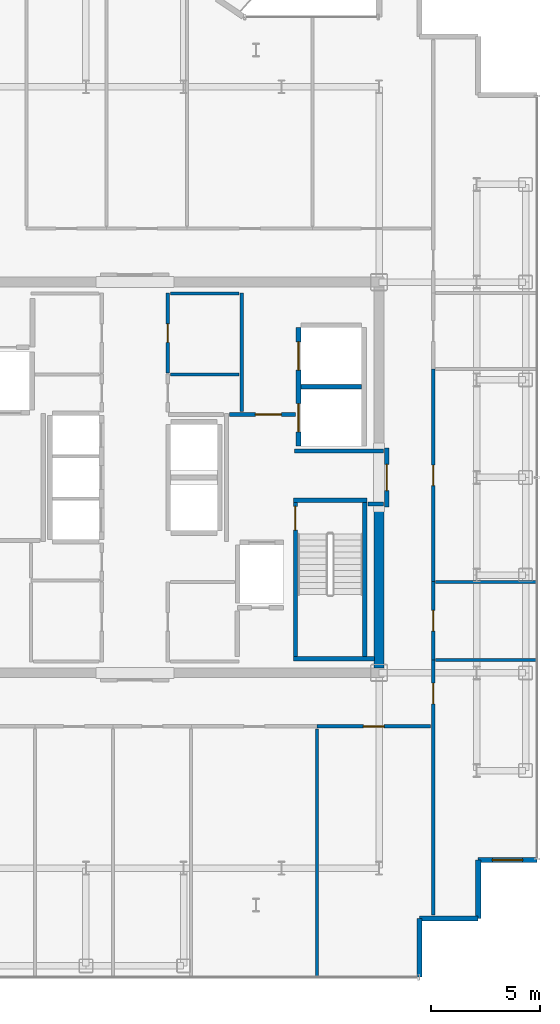
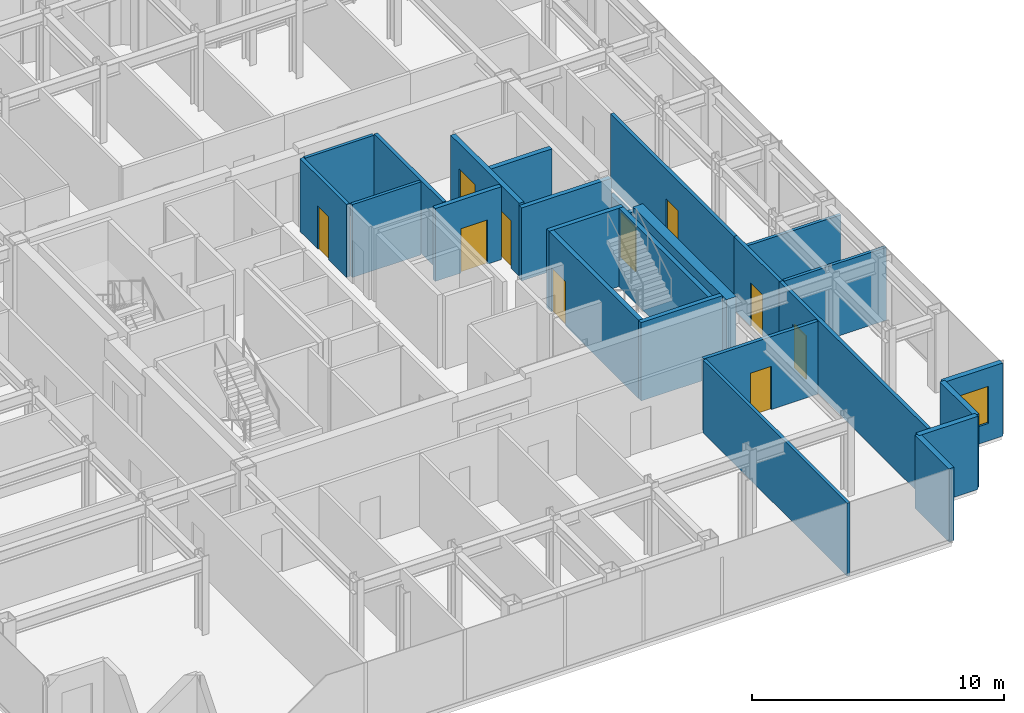
# One storey, part 15 of 18: 26 walls, 10 doors, 1 window, 11 openings.
"""IFC4 building model written with IfcOpenShell, lengths in metres."""

from ifc_helpers import new_model, si_unit, direction, frame, frame_2d, origin, place, context, subcontext, project, spatial, rectangle, extrude, source, transform, mapped, material, layer, layer_set, type_object, element, fill, save


model = new_model("IFC4")

# Units and contexts
model_context = context("Model", 3, precision=1e-05, world=origin(), true_north=direction((0.0, 1.0)))
body_context = subcontext(model_context, "Body", "Model", "MODEL_VIEW")
ifc_project = project(units=[si_unit("LENGTHUNIT", "METRE"), si_unit("AREAUNIT", "SQUARE_METRE"), si_unit("VOLUMEUNIT", "CUBIC_METRE"), si_unit("PLANEANGLEUNIT", "RADIAN"), si_unit("MASSUNIT", "GRAM", prefix="KILO")], contexts=[model_context])

# Site, building, storey
site_placement = place(None, origin())
site = spatial("IfcSite", under=ifc_project, at=site_placement, CompositionType="ELEMENT")
building_placement = place(site_placement, origin())
building = spatial("IfcBuilding", under=site, at=building_placement, Name="Nefas-Gora Pilgrimage Tower", CompositionType="ELEMENT")
storey_placement = place(building_placement, frame((0.0, 0.0, 268.39990234375)))
storey = spatial("IfcBuildingStorey", under=building, at=storey_placement, Name="L67", CompositionType="ELEMENT", Elevation=268.39990234375)

# Wall
ifc_material_1 = material(Name="Concrete C50/60", Category="concrete")
ifc_layer_1 = layer(ifc_material_1, 0.449951171875)
ifc_layer_set_1 = layer_set([ifc_layer_1], Name="Concrete C50/60")
wall_type_1 = type_object("IfcWallType", Name="SW-CORE-450", PredefinedType="SHEAR", material=ifc_layer_set_1)
shared_shape_1 = source(origin(), body_context, "Body", "SweptSolid", [
    extrude(rectangle(XDim=7.4248046875, YDim=0.449951171875, at=frame_2d((3.71240234375, 0.0))), origin(), (0.0, 0.0, 1.0), 3.800048828125),
])
wall_1_placement = place(storey_placement, frame((11.25, -8.77490234375, 0.0), z_axis=(0.0, 0.0, 1.0), x_axis=(0.0, 1.0, 0.0)))
element("IfcWall", 1, at=wall_1_placement, inside=storey, type_object=wall_type_1, Name="L67 Core Shear Wall E-South", PredefinedType="SHEAR", context=body_context, shape_type="MappedRepresentation", body=[
    mapped(shared_shape_1, transform((0.0, 0.0, 0.0), x_axis=(1.0, 0.0, 0.0), y_axis=(0.0, 1.0, 0.0), z_axis=(0.0, 0.0, 1.0), scale=1.0)),
])

# Wall, opening, window
ifc_material_2 = material(Name="Precast concrete C45/55", Category="concrete")
ifc_layer_2 = layer(ifc_material_2, 0.239990234375)
ifc_layer_set_2 = layer_set([ifc_layer_2], Name="Precast concrete C45/55")
wall_type_2 = type_object("IfcWallType", Name="EW-SERR-240", PredefinedType="SHEAR", material=ifc_layer_set_2)
shared_shape_2 = source(origin(), body_context, "Body", "SweptSolid", [
    extrude(rectangle(XDim=2.699951171875, YDim=0.239990234375, at=frame_2d((1.35009765625, 0.0))), origin(), (0.0, 0.0, 1.0), 3.550048828125),
])
wall_2_placement = place(storey_placement, frame((15.820068359375, -17.6201171875, 0.0), z_axis=(0.0, 0.0, 1.0), x_axis=(1.0, 0.0, 0.0)))
wall_2 = element("IfcWall", 2, at=wall_2_placement, inside=storey, type_object=wall_type_2, Name="L67 Serrated Corner Shear Pier Wall 1", PredefinedType="SHEAR", context=body_context, shape_type="MappedRepresentation", body=[
    mapped(shared_shape_2, transform((0.0, 0.0, 0.0), x_axis=(1.0, 0.0, 0.0), y_axis=(0.0, 1.0, 0.0), z_axis=(0.0, 0.0, 1.0), scale=1.0)),
])
opening_1_placement = place(wall_2_placement, frame((0.64990234375, 0.0, 0.85009765625)))
opening_1 = element("IfcOpeningElement", 3, at=opening_1_placement, cuts=wall_2, Name="Opening W-V2", PredefinedType="OPENING", context=body_context, shape_type="SweptSolid", body=[
    extrude(rectangle(XDim=1.39990234375, YDim=1.800048828125, at=frame_2d((0.699951171875, 0.89990234375))), frame((0.0, 0.1298828125, 0.0), z_axis=(0.0, -1.0, 0.0), x_axis=(1.0, 0.0, 0.0)), (0.0, 0.0, 1.0), 0.260009765625),
])
ifc_material_3 = material(Name="Dark ceramic-fritted operable aluminium-glass window", Category="aluminium")
window_type = type_object("IfcWindowType", Name="WIN-VENT-1400x1800", PartitioningType="SINGLE_PANEL", PredefinedType="WINDOW", material=ifc_material_3)
shared_shape_3 = source(origin(), body_context, "Body", "SweptSolid", [
    extrude(rectangle(XDim=1.39990234375, YDim=1.800048828125, at=frame_2d((0.699951171875, 0.89990234375))), frame((0.0, 0.030029296875, 0.0), z_axis=(0.0, -1.0, 0.0), x_axis=(1.0, 0.0, 0.0)), (0.0, 0.0, 1.0), 0.06005859375),
])
window_placement = place(opening_1_placement, origin())
window = element("IfcWindow", 4, at=window_placement, inside=storey, type_object=window_type, Name="L67 Operable Parallel-Outswing Window 1", OverallHeight=1.800048828125, OverallWidth=1.39990234375, PartitioningType="SINGLE_PANEL", PredefinedType="WINDOW", context=body_context, shape_type="MappedRepresentation", body=[
    mapped(shared_shape_3, transform((0.0, 0.0, 0.0), x_axis=(1.0, 0.0, 0.0), y_axis=(0.0, 1.0, 0.0), z_axis=(0.0, 0.0, 1.0), scale=1.0)),
])
fill(opening_1, window)

# Walls
for number, where, z_axis, x_axis, name in (
    (5, (13.1201171875, -23.02001953125, 0.0), (0.0, 0.0, 1.0), (0.0, 1.0, 0.0), "L67 Serrated Corner Shear Pier Wall 25"),
    (6, (13.1201171875, -20.320068359375, 0.0), (0.0, 0.0, 1.0), (1.0, 0.0, 0.0), "L67 Serrated Corner Shear Pier Wall 26"),
    (7, (15.820068359375, -20.320068359375, 0.0), (0.0, 0.0, 1.0), (0.0, 1.0, 0.0), "L67 Serrated Corner Shear Pier Wall 27"),
):
    element("IfcWall", number, at=place(storey_placement, frame(where, z_axis=z_axis, x_axis=x_axis)), inside=storey, type_object=wall_type_2, Name=name, PredefinedType="SHEAR", context=body_context, shape_type="MappedRepresentation", body=[
        mapped(shared_shape_2, transform((0.0, 0.0, 0.0), x_axis=(1.0, 0.0, 0.0), y_axis=(0.0, 1.0, 0.0), z_axis=(0.0, 0.0, 1.0), scale=1.0)),
    ])
ifc_material_4 = material(Name="Concrete C45/55", Category="concrete")
ifc_layer_3 = layer(ifc_material_4, 0.199951171875)
ifc_layer_set_3 = layer_set([ifc_layer_3], Name="Concrete C45/55")
wall_type_3 = type_object("IfcWallType", Name="IW-STAIR-200", PredefinedType="SOLIDWALL", material=ifc_layer_set_3)
shared_shape_4 = source(origin(), body_context, "Body", "SweptSolid", [
    extrude(rectangle(XDim=3.39990234375, YDim=0.199951171875, at=frame_2d((1.699951171875, 0.0))), origin(), (0.0, 0.0, 1.0), 3.800048828125),
])
wall_3_placement = place(storey_placement, frame((7.300048828125, -1.050048828125, 0.0), z_axis=(0.0, 0.0, 1.0), x_axis=(1.0, 0.0, 0.0)))
element("IfcWall", 8, at=wall_3_placement, inside=storey, type_object=wall_type_3, Name="L67 Stairwell Shear Wall ST-02-near", PredefinedType="SOLIDWALL", context=body_context, shape_type="MappedRepresentation", body=[
    mapped(shared_shape_4, transform((0.0, 0.0, 0.0), x_axis=(1.0, 0.0, 0.0), y_axis=(0.0, 1.0, 0.0), z_axis=(0.0, 0.0, 1.0), scale=1.0)),
])

# Wall, opening, door
shared_shape_5 = source(origin(), body_context, "Body", "SweptSolid", [
    extrude(rectangle(XDim=7.10009765625, YDim=0.199951171875, at=frame_2d((3.550048828125, 0.0))), origin(), (0.0, 0.0, 1.0), 3.800048828125),
])
wall_4_placement = place(storey_placement, frame((7.39990234375, -1.14990234375, 0.0), z_axis=(0.0, 0.0, 1.0), x_axis=(0.0, -1.0, 0.0)))
wall_4 = element("IfcWall", 9, at=wall_4_placement, inside=storey, type_object=wall_type_3, Name="L67 Stairwell Shear Wall ST-02-left", PredefinedType="SOLIDWALL", context=body_context, shape_type="MappedRepresentation", body=[
    mapped(shared_shape_5, transform((0.0, 0.0, 0.0), x_axis=(1.0, 0.0, 0.0), y_axis=(0.0, 1.0, 0.0), z_axis=(0.0, 0.0, 1.0), scale=1.0)),
])
opening_2_placement = place(wall_4_placement, frame((0.179931640625, 0.0, 0.0)))
opening_2 = element("IfcOpeningElement", 10, at=opening_2_placement, cuts=wall_4, Name="Opening ID-ST1", PredefinedType="OPENING", context=body_context, shape_type="SweptSolid", body=[
    extrude(rectangle(XDim=1.10009765625, YDim=2.14990234375, at=frame_2d((0.550048828125, 1.074951171875))), frame((0.0, 0.10986328125, 0.0), z_axis=(0.0, -1.0, 0.0), x_axis=(1.0, 0.0, 0.0)), (0.0, 0.0, 1.0), 0.219970703125),
])
ifc_material_5 = material(Name="Painted galvanised steel fire stair door", Category="steel")
door_type_1 = type_object("IfcDoorType", Name="DR-INT-STAIR-1100", OperationType="NOTDEFINED", PredefinedType="DOOR", material=ifc_material_5)
shared_shape_6 = source(origin(), body_context, "Body", "SweptSolid", [
    extrude(rectangle(XDim=1.10009765625, YDim=2.14990234375, at=frame_2d((0.550048828125, 1.074951171875))), frame((0.0, 0.02490234375, 0.0), z_axis=(0.0, -1.0, 0.0), x_axis=(1.0, 0.0, 0.0)), (0.0, 0.0, 1.0), 0.050048828125),
])
door_1_placement = place(opening_2_placement, origin())
door_1 = element("IfcDoor", 11, at=door_1_placement, inside=storey, type_object=door_type_1, Name="L67 Protected Exit Stair Door ST-02", OperationType="SINGLE_SWING_RIGHT", OverallHeight=2.14990234375, OverallWidth=1.10009765625, PredefinedType="DOOR", context=body_context, shape_type="MappedRepresentation", body=[
    mapped(shared_shape_6, transform((0.0, 0.0, 0.0), x_axis=(1.0, 0.0, 0.0), y_axis=(0.0, 1.0, 0.0), z_axis=(0.0, 0.0, 1.0), scale=1.0)),
])
fill(opening_2, door_1)

# Walls
wall_5_placement = place(storey_placement, frame((10.60009765625, -1.14990234375, 0.0), z_axis=(0.0, 0.0, 1.0), x_axis=(0.0, -1.0, 0.0)))
element("IfcWall", 12, at=wall_5_placement, inside=storey, type_object=wall_type_3, Name="L67 Stairwell Shear Wall ST-02-right", PredefinedType="SOLIDWALL", context=body_context, shape_type="MappedRepresentation", body=[
    mapped(shared_shape_5, transform((0.0, 0.0, 0.0), x_axis=(1.0, 0.0, 0.0), y_axis=(0.0, 1.0, 0.0), z_axis=(0.0, 0.0, 1.0), scale=1.0)),
])
shared_shape_7 = source(origin(), body_context, "Body", "SweptSolid", [
    extrude(rectangle(XDim=3.72998046875, YDim=0.199951171875, at=frame_2d((1.864990234375, 0.0))), origin(), (0.0, 0.0, 1.0), 3.800048828125),
])
wall_6_placement = place(storey_placement, frame((7.300048828125, -8.35009765625, 0.0), z_axis=(0.0, 0.0, 1.0), x_axis=(1.0, 0.0, 0.0)))
element("IfcWall", 13, at=wall_6_placement, inside=storey, type_object=wall_type_3, Name="L67 Stairwell Shear Wall ST-02-far", PredefinedType="SOLIDWALL", context=body_context, shape_type="MappedRepresentation", body=[
    mapped(shared_shape_7, transform((0.0, 0.0, 0.0), x_axis=(1.0, 0.0, 0.0), y_axis=(0.0, 1.0, 0.0), z_axis=(0.0, 0.0, 1.0), scale=1.0)),
])

# Wall, openings, doors
ifc_material_6 = material(Name="Concrete C40/50", Category="concrete")
ifc_layer_4 = layer(ifc_material_6, 0.219970703125)
ifc_layer_set_4 = layer_set([ifc_layer_4], Name="Concrete C40/50")
wall_type_4 = type_object("IfcWallType", Name="IW-SHAFT-220", PredefinedType="SOLIDWALL", material=ifc_layer_set_4)
shared_shape_8 = source(origin(), body_context, "Body", "SweptSolid", [
    extrude(rectangle(XDim=5.449951171875, YDim=0.219970703125, at=frame_2d((2.72509765625, 0.0))), origin(), (0.0, 0.0, 1.0), 3.53515625),
])
wall_7_placement = place(storey_placement, frame((7.5400390625, 6.89990234375, 0.0), z_axis=(0.0, 0.0, 1.0), x_axis=(0.0, -1.0, 0.0)))
wall_7 = element("IfcWall", 14, at=wall_7_placement, inside=storey, type_object=wall_type_4, Name="L67 Hoistway Wall SL-01-02-W", PredefinedType="SOLIDWALL", context=body_context, shape_type="MappedRepresentation", body=[
    mapped(shared_shape_8, transform((0.0, 0.0, 0.0), x_axis=(1.0, 0.0, 0.0), y_axis=(0.0, 1.0, 0.0), z_axis=(0.0, 0.0, 1.0), scale=1.0)),
])
opening_3_placement = place(wall_7_placement, frame((3.5, 0.0, 0.0)))
opening_3 = element("IfcOpeningElement", 15, at=opening_3_placement, cuts=wall_7, Name="Opening LD-SV", PredefinedType="OPENING", context=body_context, shape_type="SweptSolid", body=[
    extrude(rectangle(XDim=1.300048828125, YDim=2.300048828125, at=frame_2d((0.64990234375, 1.14990234375))), frame((0.0, 0.119873046875, 0.0), z_axis=(0.0, -1.0, 0.0), x_axis=(1.0, 0.0, 0.0)), (0.0, 0.0, 1.0), 0.239990234375),
])
opening_4_placement = place(wall_7_placement, frame((0.64990234375, 0.0, 0.0)))
opening_4 = element("IfcOpeningElement", 16, at=opening_4_placement, cuts=wall_7, Name="Opening LD-SV", PredefinedType="OPENING", context=body_context, shape_type="SweptSolid", body=[
    extrude(rectangle(XDim=1.300048828125, YDim=2.300048828125, at=frame_2d((0.64990234375, 1.14990234375))), frame((0.0, 0.119873046875, 0.0), z_axis=(0.0, -1.0, 0.0), x_axis=(1.0, 0.0, 0.0)), (0.0, 0.0, 1.0), 0.239990234375),
])
ifc_material_7 = material(Name="Heavy goods sliding lift landing door")
door_type_2 = type_object("IfcDoorType", Name="DR-LIFT-SERV-1300", OperationType="SLIDING_TO_RIGHT", PredefinedType="DOOR", material=ifc_material_7)
shared_shape_9 = source(origin(), body_context, "Body", "SweptSolid", [
    extrude(rectangle(XDim=1.300048828125, YDim=2.300048828125, at=frame_2d((0.64990234375, 1.14990234375))), frame((0.0, 0.02490234375, 0.0), z_axis=(0.0, -1.0, 0.0), x_axis=(1.0, 0.0, 0.0)), (0.0, 0.0, 1.0), 0.050048828125),
])
door_2_placement = place(opening_3_placement, origin())
door_2 = element("IfcDoor", 17, at=door_2_placement, inside=storey, type_object=door_type_2, Name="L67 Sliding Lift Landing Door SL-01", OperationType="SLIDING_TO_RIGHT", OverallHeight=2.300048828125, OverallWidth=1.300048828125, PredefinedType="DOOR", context=body_context, shape_type="MappedRepresentation", body=[
    mapped(shared_shape_9, transform((0.0, 0.0, 0.0), x_axis=(1.0, 0.0, 0.0), y_axis=(0.0, 1.0, 0.0), z_axis=(0.0, 0.0, 1.0), scale=1.0)),
])
fill(opening_3, door_2)
door_3_placement = place(opening_4_placement, origin())
door_3 = element("IfcDoor", 18, at=door_3_placement, inside=storey, type_object=door_type_2, Name="L67 Sliding Lift Landing Door SL-02", OperationType="SLIDING_TO_RIGHT", OverallHeight=2.300048828125, OverallWidth=1.300048828125, PredefinedType="DOOR", context=body_context, shape_type="MappedRepresentation", body=[
    mapped(shared_shape_9, transform((0.0, 0.0, 0.0), x_axis=(1.0, 0.0, 0.0), y_axis=(0.0, 1.0, 0.0), z_axis=(0.0, 0.0, 1.0), scale=1.0)),
])
fill(opening_4, door_3)

# Walls
shared_shape_10 = source(origin(), body_context, "Body", "SweptSolid", [
    extrude(rectangle(XDim=2.780029296875, YDim=0.219970703125, at=frame_2d((1.39013671875, 0.0))), origin(), (0.0, 0.0, 1.0), 3.53515625),
])
wall_8_placement = place(storey_placement, frame((7.659912109375, 4.175048828125, 0.0), z_axis=(0.0, 0.0, 1.0), x_axis=(1.0, 0.0, 0.0)))
element("IfcWall", 19, at=wall_8_placement, inside=storey, type_object=wall_type_4, Name="L67 Hoistway Wall SL-01-02-DIV", PredefinedType="SOLIDWALL", context=body_context, shape_type="MappedRepresentation", body=[
    mapped(shared_shape_10, transform((0.0, 0.0, 0.0), x_axis=(1.0, 0.0, 0.0), y_axis=(0.0, 1.0, 0.0), z_axis=(0.0, 0.0, 1.0), scale=1.0)),
])
ifc_material_8 = material(Name="Gypsum fire-rated shaftwall")
ifc_layer_5 = layer(ifc_material_8, 0.199951171875)
ifc_layer_set_5 = layer_set([ifc_layer_5], Name="Gypsum fire-rated shaftwall")
wall_type_5 = type_object("IfcWallType", Name="IW-FFLOB-200", PredefinedType="PARTITIONING", material=ifc_layer_set_5)
shared_shape_11 = source(origin(), body_context, "Body", "SweptSolid", [
    extrude(rectangle(XDim=0.719970703125, YDim=0.199951171875, at=frame_2d((0.35986328125, 0.0))), origin(), (0.0, 0.0, 1.0), 3.53515625),
])
wall_9_placement = place(storey_placement, frame((10.739990234375, -1.219970703125, 0.0), z_axis=(0.0, 0.0, 1.0), x_axis=(1.0, 0.0, 0.0)))
element("IfcWall", 20, at=wall_9_placement, inside=storey, type_object=wall_type_5, Name="L67 FF Lobby East Throat S Wall 15", PredefinedType="PARTITIONING", context=body_context, shape_type="MappedRepresentation", body=[
    mapped(shared_shape_11, transform((0.0, 0.0, 0.0), x_axis=(1.0, 0.0, 0.0), y_axis=(0.0, 1.0, 0.0), z_axis=(0.0, 0.0, 1.0), scale=1.0)),
])

# Wall, opening, door
shared_shape_12 = source(origin(), body_context, "Body", "SweptSolid", [
    extrude(rectangle(XDim=3.039794921875, YDim=0.199951171875, at=frame_2d((1.52001953125, 0.0))), origin(), (0.0, 0.0, 1.0), 3.53515625),
])
wall_10_placement = place(storey_placement, frame((4.360107421875, 2.89990234375, 0.0), z_axis=(0.0, 0.0, 1.0), x_axis=(1.0, 0.0, 0.0)))
wall_10 = element("IfcWall", 21, at=wall_10_placement, inside=storey, type_object=wall_type_5, Name="L67 FF Lobby East North Wall Wall 13", PredefinedType="PARTITIONING", context=body_context, shape_type="MappedRepresentation", body=[
    mapped(shared_shape_12, transform((0.0, 0.0, 0.0), x_axis=(1.0, 0.0, 0.0), y_axis=(0.0, 1.0, 0.0), z_axis=(0.0, 0.0, 1.0), scale=1.0)),
])
opening_5_placement = place(wall_10_placement, frame((1.18994140625, 0.0, 0.0)))
opening_5 = element("IfcOpeningElement", 22, at=opening_5_placement, cuts=wall_10, Name="Opening ID-PL1", PredefinedType="OPENING", context=body_context, shape_type="SweptSolid", body=[
    extrude(rectangle(XDim=1.199951171875, YDim=2.14990234375, at=frame_2d((0.60009765625, 1.074951171875))), frame((0.0, 0.10986328125, 0.0), z_axis=(0.0, -1.0, 0.0), x_axis=(1.0, 0.0, 0.0)), (0.0, 0.0, 1.0), 0.219970703125),
])
ifc_material_9 = material(Name="Heavy-duty steel plant room fire door", Category="steel")
door_type_3 = type_object("IfcDoorType", Name="DR-INT-PLANT-1200", OperationType="NOTDEFINED", PredefinedType="DOOR", material=ifc_material_9)
shared_shape_13 = source(origin(), body_context, "Body", "SweptSolid", [
    extrude(rectangle(XDim=1.199951171875, YDim=2.14990234375, at=frame_2d((0.60009765625, 1.074951171875))), frame((0.0, 0.02490234375, 0.0), z_axis=(0.0, -1.0, 0.0), x_axis=(1.0, 0.0, 0.0)), (0.0, 0.0, 1.0), 0.050048828125),
])
door_4_placement = place(opening_5_placement, origin())
door_4 = element("IfcDoor", 23, at=door_4_placement, inside=storey, type_object=door_type_3, Name="L67 Service Lift Lobby Door Door 5", OperationType="SINGLE_SWING_LEFT", OverallHeight=2.14990234375, OverallWidth=1.199951171875, PredefinedType="DOOR", context=body_context, shape_type="MappedRepresentation", body=[
    mapped(shared_shape_13, transform((0.0, 0.0, 0.0), x_axis=(1.0, 0.0, 0.0), y_axis=(0.0, 1.0, 0.0), z_axis=(0.0, 0.0, 1.0), scale=1.0)),
])
fill(opening_5, door_4)

# Walls
shared_shape_14 = source(origin(), body_context, "Body", "SweptSolid", [
    extrude(rectangle(XDim=4.10986328125, YDim=0.199951171875, at=frame_2d((2.054931640625, 0.0))), origin(), (0.0, 0.0, 1.0), 3.53515625),
])
wall_11_placement = place(storey_placement, frame((7.35009765625, 1.219970703125, 0.0), z_axis=(0.0, 0.0, 1.0), x_axis=(1.0, 0.0, 0.0)))
element("IfcWall", 24, at=wall_11_placement, inside=storey, type_object=wall_type_5, Name="L67 FF Lobby East Throat N Wall 14", PredefinedType="PARTITIONING", context=body_context, shape_type="MappedRepresentation", body=[
    mapped(shared_shape_14, transform((0.0, 0.0, 0.0), x_axis=(1.0, 0.0, 0.0), y_axis=(0.0, 1.0, 0.0), z_axis=(0.0, 0.0, 1.0), scale=1.0)),
])
ifc_material_10 = material(Name="Gypsum twin-stud partition")
ifc_layer_6 = layer(ifc_material_10, 0.139892578125)
ifc_layer_set_6 = layer_set([ifc_layer_6], Name="Gypsum twin-stud partition")
wall_type_6 = type_object("IfcWallType", Name="IW-UNIT-140", PredefinedType="PARTITIONING", material=ifc_layer_set_6)
shared_shape_15 = source(origin(), body_context, "Body", "SweptSolid", [
    extrude(rectangle(XDim=3.150146484375, YDim=0.139892578125, at=frame_2d((1.5751953125, 0.0))), origin(), (0.0, 0.0, 1.0), 3.53515625),
])
for number, where, z_axis, x_axis, name in (
    (25, (1.639892578125, 4.75, 0.0), (0.0, 0.0, 1.0), (1.0, 0.0, 0.0), "L67 Clean Blanket and Robe Store Partition Wall 24"),
    (26, (1.639892578125, 8.47998046875, 0.0), (0.0, 0.0, 1.0), (1.0, 0.0, 0.0), "L67 Amenity Supply Store Partition Wall 26"),
):
    element("IfcWall", number, at=place(storey_placement, frame(where, z_axis=z_axis, x_axis=x_axis)), inside=storey, type_object=wall_type_6, Name=name, PredefinedType="PARTITIONING", context=body_context, shape_type="MappedRepresentation", body=[
        mapped(shared_shape_15, transform((0.0, 0.0, 0.0), x_axis=(1.0, 0.0, 0.0), y_axis=(0.0, 1.0, 0.0), z_axis=(0.0, 0.0, 1.0), scale=1.0)),
    ])

# Wall, opening, door
ifc_material_11 = material(Name="Gypsum acoustic stud partition")
ifc_layer_7 = layer(ifc_material_11, 0.159912109375)
ifc_layer_set_7 = layer_set([ifc_layer_7], Name="Gypsum acoustic stud partition")
wall_type_7 = type_object("IfcWallType", Name="IW-CORR-160", PredefinedType="PARTITIONING", material=ifc_layer_set_7)
shared_shape_16 = source(origin(), body_context, "Body", "SweptSolid", [
    extrude(rectangle(XDim=3.610107421875, YDim=0.159912109375, at=frame_2d((1.80517578125, 0.0))), origin(), (0.0, 0.0, 1.0), 3.53515625),
])
wall_12_placement = place(storey_placement, frame((13.739990234375, -8.405029296875, 0.0), z_axis=(0.0, 0.0, 1.0), x_axis=(0.0, 1.0, 0.0)))
wall_12 = element("IfcWall", 27, at=wall_12_placement, inside=storey, type_object=wall_type_7, Name="L67 Pastoral Chaplains Counselling Office Partition Wall 48", PredefinedType="PARTITIONING", context=body_context, shape_type="MappedRepresentation", body=[
    mapped(shared_shape_16, transform((0.0, 0.0, 0.0), x_axis=(1.0, 0.0, 0.0), y_axis=(0.0, 1.0, 0.0), z_axis=(0.0, 0.0, 1.0), scale=1.0)),
])
opening_6_placement = place(wall_12_placement, frame((1.330078125, 0.0, 0.0)))
opening_6 = element("IfcOpeningElement", 28, at=opening_6_placement, cuts=wall_12, Name="Opening ID-GR1", PredefinedType="OPENING", context=body_context, shape_type="SweptSolid", body=[
    extrude(rectangle(XDim=0.949951171875, YDim=2.10009765625, at=frame_2d((0.47509765625, 1.050048828125))), frame((0.0, 0.08984375, 0.0), z_axis=(0.0, -1.0, 0.0), x_axis=(1.0, 0.0, 0.0)), (0.0, 0.0, 1.0), 0.179931640625),
])
ifc_material_12 = material(Name="Solid core oak fire-rated guest entrance door")
door_type_4 = type_object("IfcDoorType", Name="DR-INT-GUEST-950", OperationType="NOTDEFINED", PredefinedType="DOOR", material=ifc_material_12)
shared_shape_17 = source(origin(), body_context, "Body", "SweptSolid", [
    extrude(rectangle(XDim=0.949951171875, YDim=2.10009765625, at=frame_2d((0.47509765625, 1.050048828125))), frame((0.0, 0.02490234375, 0.0), z_axis=(0.0, -1.0, 0.0), x_axis=(1.0, 0.0, 0.0)), (0.0, 0.0, 1.0), 0.050048828125),
])
door_5_placement = place(opening_6_placement, origin())
door_5 = element("IfcDoor", 29, at=door_5_placement, inside=storey, type_object=door_type_4, Name="L67 Pastoral Chaplains Counselling Office Door 21", OperationType="SINGLE_SWING_LEFT", OverallHeight=2.10009765625, OverallWidth=0.949951171875, PredefinedType="DOOR", context=body_context, shape_type="MappedRepresentation", body=[
    mapped(shared_shape_17, transform((0.0, 0.0, 0.0), x_axis=(1.0, 0.0, 0.0), y_axis=(0.0, 1.0, 0.0), z_axis=(0.0, 0.0, 1.0), scale=1.0)),
])
fill(opening_6, door_5)

shared_shape_18 = source(origin(), body_context, "Body", "SweptSolid", [
    extrude(rectangle(XDim=5.22509765625, YDim=0.159912109375, at=frame_2d((2.612548828125, 0.0))), origin(), (0.0, 0.0, 1.0), 3.53515625),
])
wall_13_placement = place(storey_placement, frame((8.39501953125, -11.469970703125, 0.0), z_axis=(0.0, 0.0, 1.0), x_axis=(1.0, 0.0, 0.0)))
wall_13 = element("IfcWall", 30, at=wall_13_placement, inside=storey, type_object=wall_type_7, Name="L67 Pilgrim Contemplative Lounge Partition Wall 74", PredefinedType="PARTITIONING", context=body_context, shape_type="MappedRepresentation", body=[
    mapped(shared_shape_18, transform((0.0, 0.0, 0.0), x_axis=(1.0, 0.0, 0.0), y_axis=(0.0, 1.0, 0.0), z_axis=(0.0, 0.0, 1.0), scale=1.0)),
])
opening_7_placement = place(wall_13_placement, frame((2.137451171875, 0.0, 0.0)))
opening_7 = element("IfcOpeningElement", 31, at=opening_7_placement, cuts=wall_13, Name="Opening ID-GR1", PredefinedType="OPENING", context=body_context, shape_type="SweptSolid", body=[
    extrude(rectangle(XDim=0.949951171875, YDim=2.10009765625, at=frame_2d((0.47509765625, 1.050048828125))), frame((0.0, 0.08984375, 0.0), z_axis=(0.0, -1.0, 0.0), x_axis=(1.0, 0.0, 0.0)), (0.0, 0.0, 1.0), 0.179931640625),
])
door_6_placement = place(opening_7_placement, origin())
door_6 = element("IfcDoor", 32, at=door_6_placement, inside=storey, type_object=door_type_4, Name="L67 Pilgrim Contemplative Lounge Door 35", OperationType="SINGLE_SWING_LEFT", OverallHeight=2.10009765625, OverallWidth=0.949951171875, PredefinedType="DOOR", context=body_context, shape_type="MappedRepresentation", body=[
    mapped(shared_shape_17, transform((0.0, 0.0, 0.0), x_axis=(1.0, 0.0, 0.0), y_axis=(0.0, 1.0, 0.0), z_axis=(0.0, 0.0, 1.0), scale=1.0)),
])
fill(opening_7, door_6)

# Wall
shared_shape_19 = source(origin(), body_context, "Body", "SweptSolid", [
    extrude(rectangle(XDim=5.449951171875, YDim=0.159912109375, at=frame_2d((2.72509765625, 0.0))), origin(), (0.0, 0.0, 1.0), 3.53515625),
])
wall_14_placement = place(storey_placement, frame((4.919921875, 3.0400390625, 0.0), z_axis=(0.0, 0.0, 1.0), x_axis=(0.0, 1.0, 0.0)))
element("IfcWall", 33, at=wall_14_placement, inside=storey, type_object=wall_type_7, Name="L67 Service Lift Lobby West Wall Wall 18", PredefinedType="PARTITIONING", context=body_context, shape_type="MappedRepresentation", body=[
    mapped(shared_shape_19, transform((0.0, 0.0, 0.0), x_axis=(1.0, 0.0, 0.0), y_axis=(0.0, 1.0, 0.0), z_axis=(0.0, 0.0, 1.0), scale=1.0)),
])

# Wall, opening, door
shared_shape_20 = source(origin(), body_context, "Body", "SweptSolid", [
    extrude(rectangle(XDim=3.679931640625, YDim=0.159912109375, at=frame_2d((1.83984375, 0.0))), origin(), (0.0, 0.0, 1.0), 3.53515625),
])
wall_15_placement = place(storey_placement, frame((1.52001953125, 4.81005859375, 0.0), z_axis=(0.0, 0.0, 1.0), x_axis=(0.0, 1.0, 0.0)))
wall_15 = element("IfcWall", 34, at=wall_15_placement, inside=storey, type_object=wall_type_7, Name="L67 Amenity Supply Store Wall 25", PredefinedType="PARTITIONING", context=body_context, shape_type="MappedRepresentation", body=[
    mapped(shared_shape_20, transform((0.0, 0.0, 0.0), x_axis=(1.0, 0.0, 0.0), y_axis=(0.0, 1.0, 0.0), z_axis=(0.0, 0.0, 1.0), scale=1.0)),
])
opening_8_placement = place(wall_15_placement, frame((1.4150390625, 0.0, 0.0)))
opening_8 = element("IfcOpeningElement", 35, at=opening_8_placement, cuts=wall_15, Name="Opening ID-BT1", PredefinedType="OPENING", context=body_context, shape_type="SweptSolid", body=[
    extrude(rectangle(XDim=0.85009765625, YDim=2.10009765625, at=frame_2d((0.425048828125, 1.050048828125))), frame((0.0, 0.08984375, 0.0), z_axis=(0.0, -1.0, 0.0), x_axis=(1.0, 0.0, 0.0)), (0.0, 0.0, 1.0), 0.179931640625),
])
ifc_material_13 = material(Name="Moisture-resistant fire-rated timber door", Category="wood")
door_type_5 = type_object("IfcDoorType", Name="DR-INT-BATH-850", OperationType="NOTDEFINED", PredefinedType="DOOR", material=ifc_material_13)
shared_shape_21 = source(origin(), body_context, "Body", "SweptSolid", [
    extrude(rectangle(XDim=0.85009765625, YDim=2.10009765625, at=frame_2d((0.425048828125, 1.050048828125))), frame((0.0, 0.02490234375, 0.0), z_axis=(0.0, -1.0, 0.0), x_axis=(1.0, 0.0, 0.0)), (0.0, 0.0, 1.0), 0.050048828125),
])
door_7_placement = place(opening_8_placement, origin())
door_7 = element("IfcDoor", 36, at=door_7_placement, inside=storey, type_object=door_type_5, Name="L67 Amenity Supply Store Door 11", OperationType="SINGLE_SWING_LEFT", OverallHeight=2.10009765625, OverallWidth=0.85009765625, PredefinedType="DOOR", context=body_context, shape_type="MappedRepresentation", body=[
    mapped(shared_shape_21, transform((0.0, 0.0, 0.0), x_axis=(1.0, 0.0, 0.0), y_axis=(0.0, 1.0, 0.0), z_axis=(0.0, 0.0, 1.0), scale=1.0)),
])
fill(opening_8, door_7)

shared_shape_22 = source(origin(), body_context, "Body", "SweptSolid", [
    extrude(rectangle(XDim=9.809814453125, YDim=0.159912109375, at=frame_2d((4.90478515625, 0.0))), origin(), (0.0, 0.0, 1.0), 3.53515625),
])
wall_16_placement = place(storey_placement, frame((13.739990234375, -4.804931640625, 0.0), z_axis=(0.0, 0.0, 1.0), x_axis=(0.0, 1.0, 0.0)))
wall_16 = element("IfcWall", 37, at=wall_16_placement, inside=storey, type_object=wall_type_7, Name="L67 Pilgrim Contemplative Lounge Partition Wall 50", PredefinedType="PARTITIONING", context=body_context, shape_type="MappedRepresentation", body=[
    mapped(shared_shape_22, transform((0.0, 0.0, 0.0), x_axis=(1.0, 0.0, 0.0), y_axis=(0.0, 1.0, 0.0), z_axis=(0.0, 0.0, 1.0), scale=1.0)),
])
opening_9_placement = place(wall_16_placement, frame((4.429931640625, 0.0, 0.0)))
opening_9 = element("IfcOpeningElement", 38, at=opening_9_placement, cuts=wall_16, Name="Opening ID-GR1", PredefinedType="OPENING", context=body_context, shape_type="SweptSolid", body=[
    extrude(rectangle(XDim=0.949951171875, YDim=2.10009765625, at=frame_2d((0.47509765625, 1.050048828125))), frame((0.0, 0.08984375, 0.0), z_axis=(0.0, -1.0, 0.0), x_axis=(1.0, 0.0, 0.0)), (0.0, 0.0, 1.0), 0.179931640625),
])
door_8_placement = place(opening_9_placement, origin())
door_8 = element("IfcDoor", 39, at=door_8_placement, inside=storey, type_object=door_type_4, Name="L67 Pilgrim Contemplative Lounge Door 22", OperationType="SINGLE_SWING_RIGHT", OverallHeight=2.10009765625, OverallWidth=0.949951171875, PredefinedType="DOOR", context=body_context, shape_type="MappedRepresentation", body=[
    mapped(shared_shape_17, transform((0.0, 0.0, 0.0), x_axis=(1.0, 0.0, 0.0), y_axis=(0.0, 1.0, 0.0), z_axis=(0.0, 0.0, 1.0), scale=1.0)),
])
fill(opening_9, door_8)

shared_shape_23 = source(origin(), body_context, "Body", "SweptSolid", [
    extrude(rectangle(XDim=2.7001953125, YDim=0.199951171875, at=frame_2d((1.35009765625, 0.0))), origin(), (0.0, 0.0, 1.0), 2.625),
])
wall_17_placement = place(storey_placement, frame((11.60009765625, -1.35009765625, 0.0), z_axis=(0.0, 0.0, 1.0), x_axis=(0.0, 1.0, 0.0)))
wall_17 = element("IfcWall", 40, at=wall_17_placement, inside=storey, type_object=wall_type_5, Name="L67 FF Lobby East Portal Wall 10", PredefinedType="PARTITIONING", context=body_context, shape_type="MappedRepresentation", body=[
    mapped(shared_shape_23, transform((0.0, 0.0, 0.0), x_axis=(1.0, 0.0, 0.0), y_axis=(0.0, 1.0, 0.0), z_axis=(0.0, 0.0, 1.0), scale=1.0)),
])
opening_10_placement = place(wall_17_placement, frame((0.75, 0.0, 0.0)))
opening_10 = element("IfcOpeningElement", 41, at=opening_10_placement, cuts=wall_17, Name="Opening ID-FF1", PredefinedType="OPENING", context=body_context, shape_type="SweptSolid", body=[
    extrude(rectangle(XDim=1.199951171875, YDim=2.14990234375, at=frame_2d((0.60009765625, 1.074951171875))), frame((0.0, 0.10986328125, 0.0), z_axis=(0.0, -1.0, 0.0), x_axis=(1.0, 0.0, 0.0)), (0.0, 0.0, 1.0), 0.219970703125),
])
ifc_material_14 = material(Name="Smoke-sealed steel firefighting lobby door", Category="steel")
door_type_6 = type_object("IfcDoorType", Name="DR-INT-FFLOB-1200", OperationType="NOTDEFINED", PredefinedType="DOOR", material=ifc_material_14)
door_9_placement = place(opening_10_placement, origin())
door_9 = element("IfcDoor", 42, at=door_9_placement, inside=storey, type_object=door_type_6, Name="L67 FF Lobby East Portal Door 4", OperationType="SINGLE_SWING_RIGHT", OverallHeight=2.14990234375, OverallWidth=1.199951171875, PredefinedType="DOOR", context=body_context, shape_type="MappedRepresentation", body=[
    mapped(shared_shape_13, transform((0.0, 0.0, 0.0), x_axis=(1.0, 0.0, 0.0), y_axis=(0.0, 1.0, 0.0), z_axis=(0.0, 0.0, 1.0), scale=1.0)),
])
fill(opening_10, door_9)

shared_shape_24 = source(origin(), body_context, "Body", "SweptSolid", [
    extrude(rectangle(XDim=11.764892578125, YDim=0.159912109375, at=frame_2d((5.88232421875, 0.0))), origin(), (0.0, 0.0, 1.0), 3.53515625),
])
wall_18_placement = place(storey_placement, frame((13.739990234375, -20.159912109375, 0.0), z_axis=(0.0, 0.0, 1.0), x_axis=(0.0, 1.0, 0.0)))
wall_18 = element("IfcWall", 43, at=wall_18_placement, inside=storey, type_object=wall_type_7, Name="L67 Pilgrim Contemplative Lounge Partition Wall 46", PredefinedType="PARTITIONING", context=body_context, shape_type="MappedRepresentation", body=[
    mapped(shared_shape_24, transform((0.0, 0.0, 0.0), x_axis=(1.0, 0.0, 0.0), y_axis=(0.0, 1.0, 0.0), z_axis=(0.0, 0.0, 1.0), scale=1.0)),
])
opening_11_placement = place(wall_18_placement, frame((9.732421875, 0.0, 0.0)))
opening_11 = element("IfcOpeningElement", 44, at=opening_11_placement, cuts=wall_18, Name="Opening ID-GR1", PredefinedType="OPENING", context=body_context, shape_type="SweptSolid", body=[
    extrude(rectangle(XDim=0.949951171875, YDim=2.10009765625, at=frame_2d((0.47509765625, 1.050048828125))), frame((0.0, 0.08984375, 0.0), z_axis=(0.0, -1.0, 0.0), x_axis=(1.0, 0.0, 0.0)), (0.0, 0.0, 1.0), 0.179931640625),
])
door_10_placement = place(opening_11_placement, origin())
door_10 = element("IfcDoor", 45, at=door_10_placement, inside=storey, type_object=door_type_4, Name="L67 Pilgrim Contemplative Lounge Door 20", OperationType="SINGLE_SWING_RIGHT", OverallHeight=2.10009765625, OverallWidth=0.949951171875, PredefinedType="DOOR", context=body_context, shape_type="MappedRepresentation", body=[
    mapped(shared_shape_17, transform((0.0, 0.0, 0.0), x_axis=(1.0, 0.0, 0.0), y_axis=(0.0, 1.0, 0.0), z_axis=(0.0, 0.0, 1.0), scale=1.0)),
])
fill(opening_11, door_10)

# Walls
shared_shape_25 = source(origin(), body_context, "Body", "SweptSolid", [
    extrude(rectangle(XDim=4.679931640625, YDim=0.139892578125, at=frame_2d((2.33984375, 0.0))), origin(), (0.0, 0.0, 1.0), 3.53515625),
])
wall_19_placement = place(storey_placement, frame((13.860107421875, -8.405029296875, 0.0), z_axis=(0.0, 0.0, 1.0), x_axis=(1.0, 0.0, 0.0)))
element("IfcWall", 46, at=wall_19_placement, inside=storey, type_object=wall_type_6, Name="L67 Pilgrim Contemplative Lounge Partition Wall 47", PredefinedType="PARTITIONING", context=body_context, shape_type="MappedRepresentation", body=[
    mapped(shared_shape_25, transform((0.0, 0.0, 0.0), x_axis=(1.0, 0.0, 0.0), y_axis=(0.0, 1.0, 0.0), z_axis=(0.0, 0.0, 1.0), scale=1.0)),
])
shared_shape_26 = source(origin(), body_context, "Body", "SweptSolid", [
    extrude(rectangle(XDim=4.679931640625, YDim=0.139892578125, at=frame_2d((2.33984375, 0.0))), origin(), (0.0, 0.0, 1.0), 2.925048828125),
])
wall_20_placement = place(storey_placement, frame((13.860107421875, -4.804931640625, 0.0), z_axis=(0.0, 0.0, 1.0), x_axis=(1.0, 0.0, 0.0)))
element("IfcWall", 47, at=wall_20_placement, inside=storey, type_object=wall_type_6, Name="L67 Pastoral Chaplains Counselling Office Partition Wall 49", PredefinedType="PARTITIONING", context=body_context, shape_type="MappedRepresentation", body=[
    mapped(shared_shape_26, transform((0.0, 0.0, 0.0), x_axis=(1.0, 0.0, 0.0), y_axis=(0.0, 1.0, 0.0), z_axis=(0.0, 0.0, 1.0), scale=1.0)),
])
shared_shape_27 = source(origin(), body_context, "Body", "SweptSolid", [
    extrude(rectangle(XDim=11.449951171875, YDim=0.139892578125, at=frame_2d((5.72509765625, 0.0))), origin(), (0.0, 0.0, 1.0), 3.53515625),
])
wall_21_placement = place(storey_placement, frame((8.39501953125, -23.0400390625, 0.0), z_axis=(0.0, 0.0, 1.0), x_axis=(0.0, 1.0, 0.0)))
element("IfcWall", 48, at=wall_21_placement, inside=storey, type_object=wall_type_6, Name="L67 Pilgrim Contemplative Lounge Partition Wall 73", PredefinedType="PARTITIONING", context=body_context, shape_type="MappedRepresentation", body=[
    mapped(shared_shape_27, transform((0.0, 0.0, 0.0), x_axis=(1.0, 0.0, 0.0), y_axis=(0.0, 1.0, 0.0), z_axis=(0.0, 0.0, 1.0), scale=1.0)),
])

save(model, "model.ifc")
